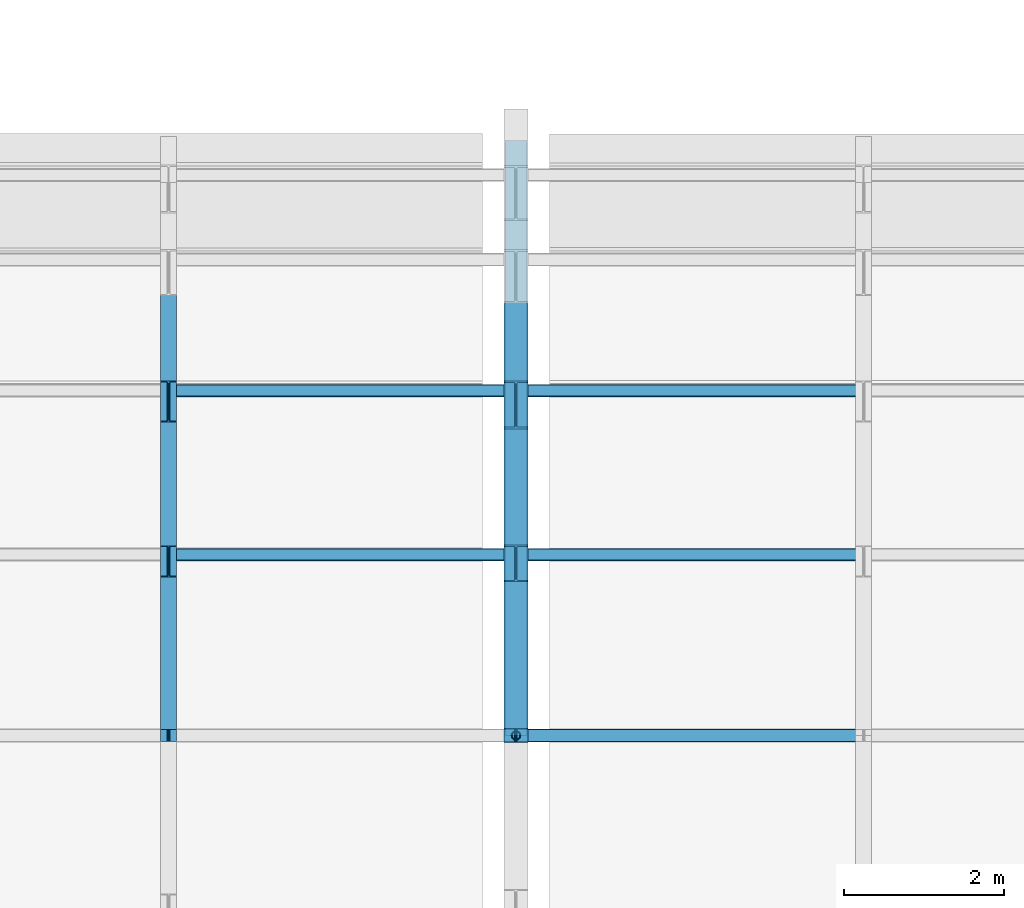
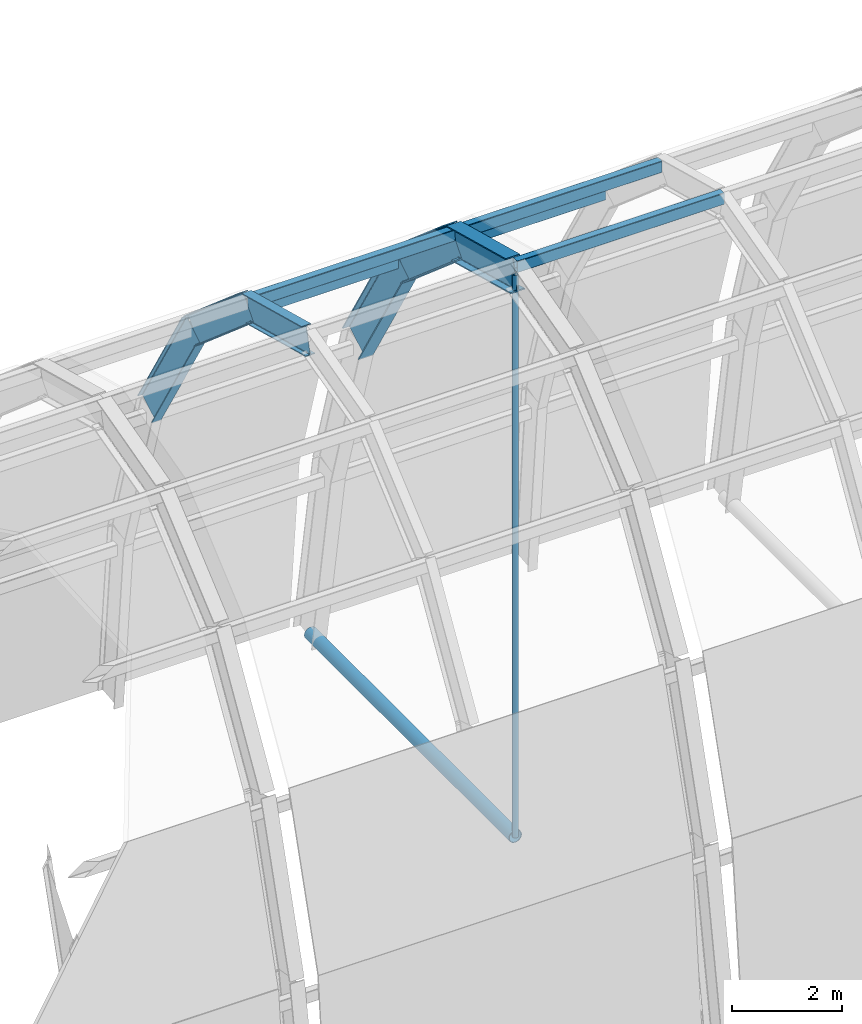
# One storey, part 3 of 13: 7 members, 6 beams.
"""IFC4 building model written with IfcOpenShell, lengths in metres."""

from ifc_helpers import new_model, si_unit, derived_unit, direction, frame, origin, origin_2d, place, context, subcontext, project, spatial, hollow_rectangle, hollow_circle, i_section, extrude, material, material_profile, profile_set, type_object, element, save


model = new_model("IFC4")

# Units and contexts
model_context = context("Model", 3, precision=1e-05, world=origin(), true_north=direction((0.0, 1.0)))
body_context = subcontext(model_context, "Body", "Model", "MODEL_VIEW")
ifc_project = project(units=[si_unit("LENGTHUNIT", "METRE"), si_unit("AREAUNIT", "SQUARE_METRE"), si_unit("VOLUMEUNIT", "CUBIC_METRE"), si_unit("PLANEANGLEUNIT", "RADIAN"), si_unit("MASSUNIT", "GRAM", prefix="KILO"), derived_unit("THERMALTRANSMITTANCEUNIT", [(si_unit("MASSUNIT", "GRAM", prefix="KILO"), 1), (si_unit("TIMEUNIT", "SECOND"), -3), (si_unit("THERMODYNAMICTEMPERATUREUNIT", "KELVIN"), -1)])], contexts=[model_context])

# Site, building, storey
site_placement = place(None, origin())
site = spatial("IfcSite", under=ifc_project, at=site_placement, CompositionType="ELEMENT")
building_placement = place(site_placement, origin())
building = spatial("IfcBuilding", under=site, at=building_placement, Name="Qinzheling Arcade Emporium", CompositionType="ELEMENT")
storey_placement = place(building_placement, frame((0.0, 0.0, 41.10009765625)))
storey = spatial("IfcBuildingStorey", under=building, at=storey_placement, Name="RF", CompositionType="ELEMENT", Elevation=41.10009765625)

# Beams
ifc_material = material(Name="Weathering steel Q355NH", Category="steel")
ifc_material_profile_1 = material_profile(ifc_material, i_section(OverallWidth=0.199951171875, OverallDepth=0.60009765625, WebThickness=0.010986328125, FlangeThickness=0.01708984375, FilletRadius=0.02001953125, at=origin_2d()), Name="HN 600x200x11x17", Category="steel")
ifc_profile_set_1 = profile_set([ifc_material_profile_1], Name="Weathering steel Q355NH")
beam_type_1 = type_object("IfcBeamType", Name="Atrium End Arch Rib HN600 Q355NH", PredefinedType="BEAM", material=ifc_profile_set_1)
beam_1_placement = place(storey_placement, frame((56.550048828125, 57.89990234375, 7.501953125), z_axis=(0.0, 0.966026254712, -0.258443949838), x_axis=(-1.0, 0.0, 0.0)))
element("IfcBeam", 1, at=beam_1_placement, inside=storey, type_object=beam_type_1, Name="Atrium Sub-Rib VLT-ATRIUM-SRIB-B03-S06", PredefinedType="BEAM", context=body_context, shape_type="SweptSolid", body=[
    extrude(i_section(OverallWidth=0.199951171875, OverallDepth=0.60009765625, WebThickness=0.010986328125, FlangeThickness=0.01708984375, FilletRadius=0.02001953125, at=origin_2d()), origin(), (0.0, 0.0, 1.0), 2.255859375),
])
beam_2_placement = place(storey_placement, frame((56.550048828125, 60.0791015625, 6.9189453125), z_axis=(0.0, 0.758897005565, -0.651210668636), x_axis=(-1.0, 0.0, 0.0)))
element("IfcBeam", 2, at=beam_2_placement, inside=storey, type_object=beam_type_1, Name="Atrium Sub-Rib VLT-ATRIUM-SRIB-B03-S07", PredefinedType="BEAM", context=body_context, shape_type="SweptSolid", body=[
    extrude(i_section(OverallWidth=0.199951171875, OverallDepth=0.60009765625, WebThickness=0.010986328125, FlangeThickness=0.01708984375, FilletRadius=0.02001953125, at=origin_2d()), origin(), (0.0, 0.0, 1.0), 2.63671875),
])
beam_3_placement = place(storey_placement, frame((56.550048828125, 62.080078125, 5.201904296875), z_axis=(0.0, 0.511083106472, -0.859531301512), x_axis=(-1.0, 0.0, 0.0)))
element("IfcBeam", 3, at=beam_3_placement, inside=storey, type_object=beam_type_1, Name="Atrium Sub-Rib VLT-ATRIUM-SRIB-B03-S08", PredefinedType="BEAM", context=body_context, shape_type="SweptSolid", body=[
    extrude(i_section(OverallWidth=0.199951171875, OverallDepth=0.60009765625, WebThickness=0.010986328125, FlangeThickness=0.01708984375, FilletRadius=0.02001953125, at=origin_2d()), origin(), (0.0, 0.0, 1.0), 3.159912109375),
])

# Members
ifc_material_profile_2 = material_profile(ifc_material, hollow_rectangle(XDim=0.159912109375, YDim=0.260009765625, WallThickness=0.010009765625, InnerFilletRadius=0.010009765625, OuterFilletRadius=0.02001953125, at=origin_2d()), Name="RHS 260x160x10", Category="steel")
ifc_profile_set_2 = profile_set([ifc_material_profile_2], Name="Weathering steel Q355NH")
member_type_1 = type_object("IfcMemberType", Name="Atrium Skylight Purlin RHS260 Q355NH", PredefinedType="PURLIN", material=ifc_profile_set_2)
for number, where, z_axis, x_axis, name in (
    (4, (56.550048828125, 60.1640625, 6.98095703125), (1.0, 0.0, 0.0), (0.0, 1.0, 0.0), "Atrium Skylight Purlin VLT-ATRIUM-PUR-B03-N06-2"),
    (5, (56.550048828125, 62.217041015625, 5.1240234375), (1.0, 0.0, 0.0), (0.0, 1.0, 0.0), "Atrium Skylight Purlin VLT-ATRIUM-PUR-B03-N07-2"),
):
    element("IfcMember", number, at=place(storey_placement, frame(where, z_axis=z_axis, x_axis=x_axis)), inside=storey, type_object=member_type_1, Name=name, PredefinedType="PURLIN", context=body_context, shape_type="SweptSolid", body=[
        extrude(hollow_rectangle(XDim=0.159912109375, YDim=0.260009765625, WallThickness=0.010009765625, InnerFilletRadius=0.010009765625, OuterFilletRadius=0.02001953125, at=origin_2d()), origin(), (0.0, 0.0, 1.0), 4.349853515625),
    ])
for number, where, z_axis, x_axis, name in (
    (6, (60.89990234375, 57.89990234375, 7.64599609375), (1.0, 0.0, 0.0), (0.0, 1.0, 0.0), "Atrium Skylight Purlin VLT-ATRIUM-PUR-B04-N05-1"),
    (7, (60.89990234375, 60.1640625, 6.98095703125), (1.0, 0.0, 0.0), (0.0, 1.0, 0.0), "Atrium Skylight Purlin VLT-ATRIUM-PUR-B04-N06-1"),
    (8, (60.89990234375, 62.217041015625, 5.1240234375), (1.0, 0.0, 0.0), (0.0, 1.0, 0.0), "Atrium Skylight Purlin VLT-ATRIUM-PUR-B04-N07-1"),
):
    element("IfcMember", number, at=place(storey_placement, frame(where, z_axis=z_axis, x_axis=x_axis)), inside=storey, type_object=member_type_1, Name=name, PredefinedType="PURLIN", context=body_context, shape_type="SweptSolid", body=[
        extrude(hollow_rectangle(XDim=0.159912109375, YDim=0.260009765625, WallThickness=0.010009765625, InnerFilletRadius=0.010009765625, OuterFilletRadius=0.02001953125, at=origin_2d()), origin(), (0.0, 0.0, 1.0), 4.35009765625),
    ])

# Beams
ifc_material_profile_3 = material_profile(ifc_material, i_section(OverallWidth=0.300048828125, OverallDepth=0.699951171875, WebThickness=0.012939453125, FlangeThickness=0.02392578125, FilletRadius=0.02392578125, at=origin_2d()), Name="HN 700x300x13x24", Category="steel")
ifc_profile_set_3 = profile_set([ifc_material_profile_3], Name="Weathering steel Q355NH")
beam_type_2 = type_object("IfcBeamType", Name="Atrium Vault Arch Rib HN700 Q355NH", PredefinedType="BEAM", material=ifc_profile_set_3)
beam_4_placement = place(storey_placement, frame((60.89990234375, 57.89990234375, 7.449951171875), z_axis=(0.0, 0.965958306964, -0.258697795136), x_axis=(-1.0, 0.0, 0.0)))
element("IfcBeam", 9, at=beam_4_placement, inside=storey, type_object=beam_type_2, Name="Atrium Arch Rib VLT-ATRIUM-RIB-04-S06", PredefinedType="BEAM", context=body_context, shape_type="SweptSolid", body=[
    extrude(i_section(OverallWidth=0.300048828125, OverallDepth=0.699951171875, WebThickness=0.012939453125, FlangeThickness=0.02392578125, FilletRadius=0.02392578125, at=origin_2d()), origin(), (0.0, 0.0, 1.0), 2.23095703125),
])
beam_5_placement = place(storey_placement, frame((60.89990234375, 60.054931640625, 6.872802734375), z_axis=(0.0, 0.758815061516, -0.651306151066), x_axis=(-1.0, 0.0, 0.0)))
element("IfcBeam", 10, at=beam_5_placement, inside=storey, type_object=beam_type_2, Name="Atrium Arch Rib VLT-ATRIUM-RIB-04-S07", PredefinedType="BEAM", context=body_context, shape_type="SweptSolid", body=[
    extrude(i_section(OverallWidth=0.300048828125, OverallDepth=0.699951171875, WebThickness=0.012939453125, FlangeThickness=0.02392578125, FilletRadius=0.02392578125, at=origin_2d()), origin(), (0.0, 0.0, 1.0), 2.615966796875),
])
beam_6_placement = place(storey_placement, frame((60.89990234375, 62.0400390625, 5.1689453125), z_axis=(0.0, 0.511090888191, -0.859526674401), x_axis=(-1.0, 0.0, 0.0)))
element("IfcBeam", 11, at=beam_6_placement, inside=storey, type_object=beam_type_2, Name="Atrium Arch Rib VLT-ATRIUM-RIB-04-S08", PredefinedType="BEAM", context=body_context, shape_type="SweptSolid", body=[
    extrude(i_section(OverallWidth=0.300048828125, OverallDepth=0.699951171875, WebThickness=0.012939453125, FlangeThickness=0.02392578125, FilletRadius=0.02392578125, at=origin_2d()), origin(), (0.0, 0.0, 1.0), 3.14599609375),
])

# Members
ifc_material_profile_4 = material_profile(ifc_material, hollow_circle(Radius=0.056884765625, WallThickness=0.008056640625, at=origin_2d()), Name="CHS 114x8", Category="steel")
ifc_profile_set_4 = profile_set([ifc_material_profile_4], Name="Weathering steel Q355NH")
member_type_2 = type_object("IfcMemberType", Name="Vault King-Post Hanger CHS114 Q355NH", PredefinedType="BRACE", material=ifc_profile_set_4)
member_1_placement = place(storey_placement, frame((60.89990234375, 57.89990234375, -5.050048828125), z_axis=(0.0, 0.0, 1.0), x_axis=(1.0, 0.0, 0.0)))
element("IfcMember", 12, at=member_1_placement, inside=storey, type_object=member_type_2, Name="Atrium Crown Hanger VLT-ATRIUM-HNG-04", PredefinedType="BRACE", context=body_context, shape_type="SweptSolid", body=[
    extrude(hollow_circle(Radius=0.056884765625, WallThickness=0.008056640625, at=origin_2d()), origin(), (0.0, 0.0, 1.0), 12.5),
])
ifc_material_profile_5 = material_profile(ifc_material, hollow_circle(Radius=0.136474609375, WallThickness=0.011962890625, at=origin_2d()), Name="CHS 273x12", Category="steel")
ifc_profile_set_5 = profile_set([ifc_material_profile_5], Name="Weathering steel Q355NH")
member_type_3 = type_object("IfcMemberType", Name="Vault Thrust Tie Chord CHS273 Q355NH", PredefinedType="CHORD", material=ifc_profile_set_5)
member_2_placement = place(storey_placement, frame((60.89990234375, 57.89990234375, -5.050048828125), z_axis=(0.0, 1.0, 0.0), x_axis=(-1.0, 0.0, 0.0)))
element("IfcMember", 13, at=member_2_placement, inside=storey, type_object=member_type_3, Name="Atrium Thrust Tie VLT-ATRIUM-TIE-04-2", PredefinedType="CHORD", context=body_context, shape_type="SweptSolid", body=[
    extrude(hollow_circle(Radius=0.136474609375, WallThickness=0.011962890625, at=origin_2d()), origin(), (0.0, 0.0, 1.0), 7.4501953125),
])

save(model, "model.ifc")
